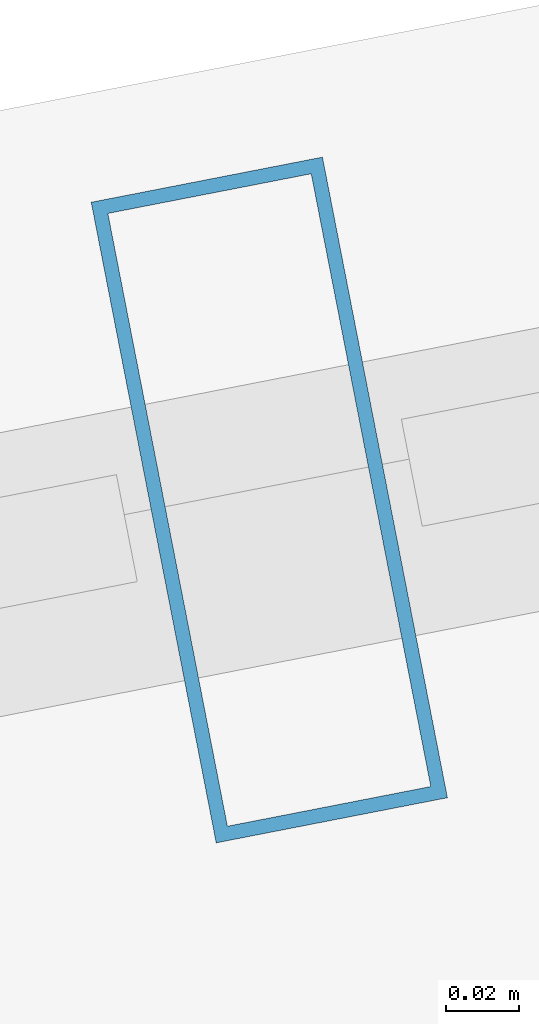
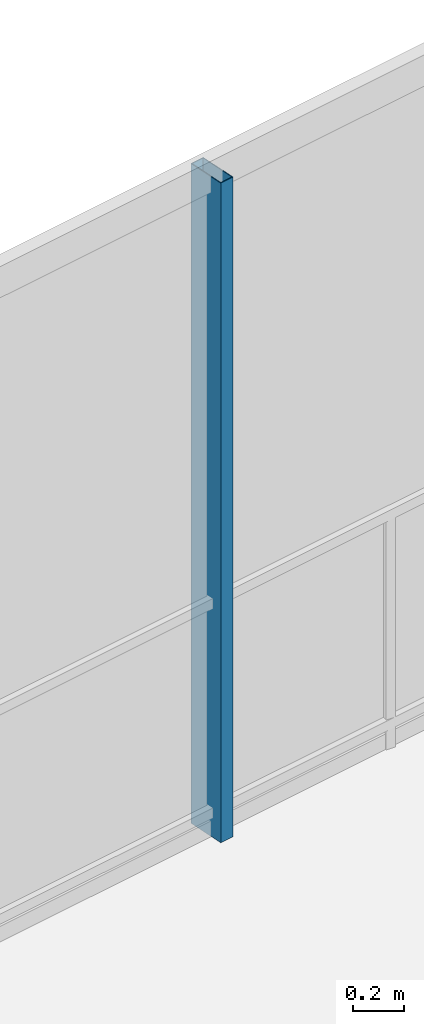
# One storey, part 17 of 27: 1 member, 1 element without a shape of its own.
"""IFC4 building model written with IfcOpenShell, lengths in metres."""

from ifc_helpers import new_model, si_unit, direction, frame, origin, origin_2d, place, context, subcontext, project, spatial, hollow_rectangle, extrude, material, layer, layer_set, material_profile, profile_set, type_object, element, aggregate, save


model = new_model("IFC4")

# Units and contexts
model_context = context("Model", 3, precision=1e-05, world=origin(), true_north=direction((0.0, 1.0)))
body_context = subcontext(model_context, "Body", "Model", "MODEL_VIEW")
ifc_project = project(units=[si_unit("LENGTHUNIT", "METRE"), si_unit("AREAUNIT", "SQUARE_METRE"), si_unit("VOLUMEUNIT", "CUBIC_METRE"), si_unit("PLANEANGLEUNIT", "RADIAN"), si_unit("MASSUNIT", "GRAM", prefix="KILO")], contexts=[model_context])

# Site, building, storey
site_placement = place(None, origin())
site = spatial("IfcSite", under=ifc_project, at=site_placement, CompositionType="ELEMENT")
building_placement = place(site_placement, origin())
building = spatial("IfcBuilding", under=site, at=building_placement, Name="Qarnah Convention Tower", CompositionType="ELEMENT")
storey_placement = place(building_placement, frame((0.0, 0.0, 107.39990234375)))
storey = spatial("IfcBuildingStorey", under=building, at=storey_placement, Name="L28", CompositionType="ELEMENT", Elevation=107.39990234375)

# Curtain wall, member
ifc_material_1 = material(Name="Tempered Low-E dark glass", Category="glass")
ifc_layer = layer(ifc_material_1, 0.169921875)
ifc_layer_set = layer_set([ifc_layer], Name="Tempered Low-E dark glass")
curtain_wall_type = type_object("IfcCurtainWallType", Name="CWS-02", PredefinedType="NOTDEFINED", material=ifc_layer_set)
curtain_wall_placement = place(storey_placement, origin())
curtain_wall = element("IfcCurtainWall", 1, at=curtain_wall_placement, inside=storey, type_object=curtain_wall_type, Name="L28 unitised curtain wall CW-L28-F1", PredefinedType="NOTDEFINED")
ifc_material_2 = material(Name="Black anodised aluminium", Category="aluminium")
ifc_material_profile = material_profile(ifc_material_2, hollow_rectangle(XDim=0.06494140625, YDim=0.179931640625, WallThickness=0.00390625, at=origin_2d()), Name="MUL-65X180")
ifc_profile_set = profile_set([ifc_material_profile], Name="Black anodised aluminium")
member_type = type_object("IfcMemberType", Name="MUL-T2", PredefinedType="MULLION", material=ifc_profile_set)
member_placement = place(storey_placement, frame((31.360107421875, 42.802490234375, 0.0), z_axis=(0.0, 0.0, 1.0), x_axis=(0.981494509817, 0.191490279646, 0.0)))
member = element("IfcMember", 2, at=member_placement, type_object=member_type, Name="CW-L28-F1 mullion 3", PredefinedType="MULLION", context=body_context, shape_type="SweptSolid", body=[
    extrude(hollow_rectangle(XDim=0.06494140625, YDim=0.179931640625, WallThickness=0.00390625, at=origin_2d()), origin(), (0.0, 0.0, 1.0), 3.170166015625),
])
aggregate(curtain_wall, [member])

save(model, "model.ifc")
